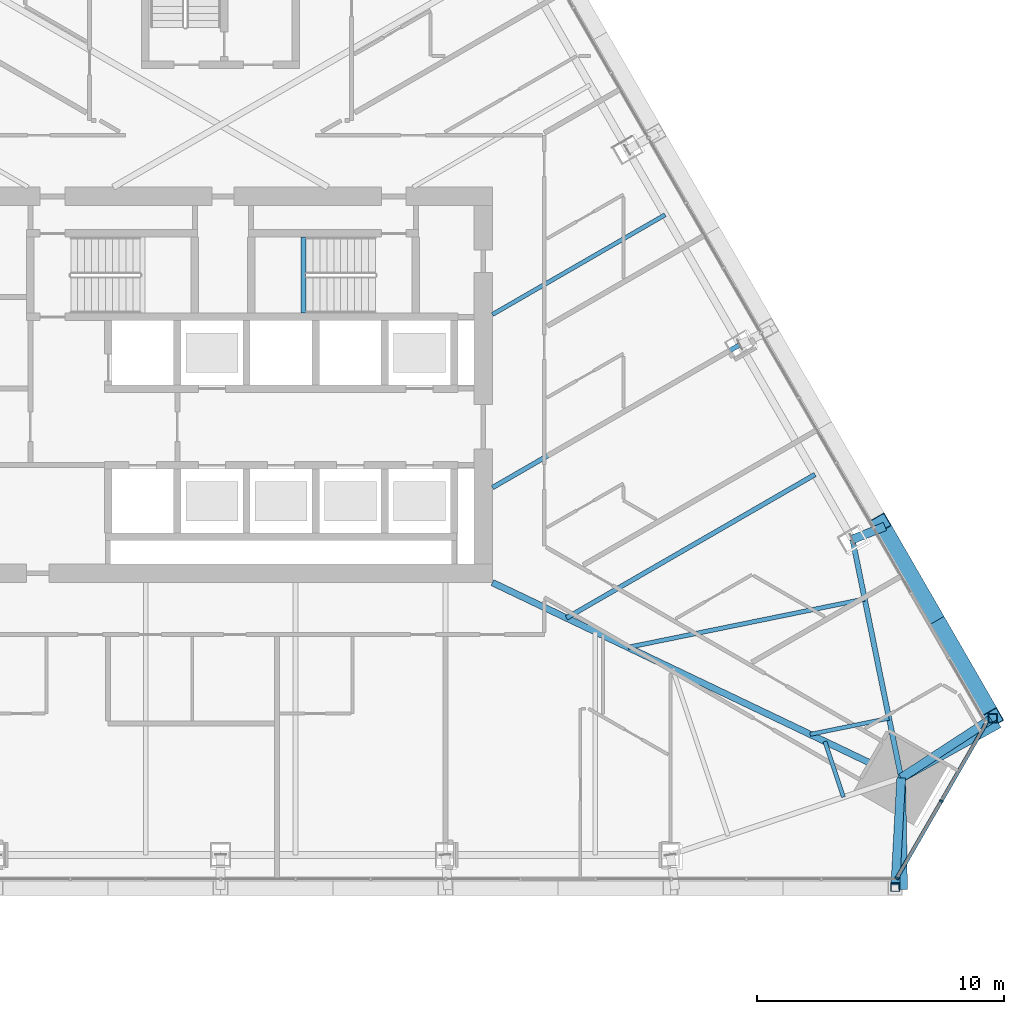
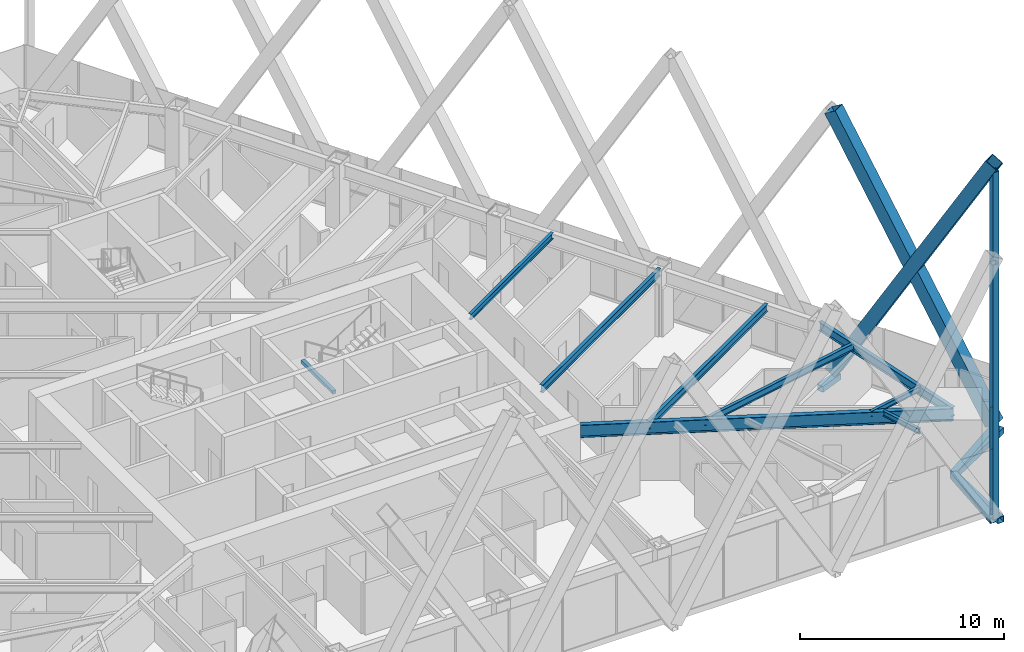
# One storey, part 8 of 26: 12 members, 9 beams, 1 element without a shape of its own.
"""IFC4 building model written with IfcOpenShell, lengths in metres."""

from ifc_helpers import new_model, si_unit, direction, frame, origin, origin_2d, place, context, subcontext, project, spatial, rectangle, hollow_rectangle, i_section, extrude, material, layer, layer_set, material_profile, profile_set, type_object, element, aggregate, save


model = new_model("IFC4")

# Units and contexts
model_context = context("Model", 3, precision=1e-05, world=origin(), true_north=direction((0.0, 1.0)))
body_context = subcontext(model_context, "Body", "Model", "MODEL_VIEW")
ifc_project = project(units=[si_unit("LENGTHUNIT", "METRE"), si_unit("AREAUNIT", "SQUARE_METRE"), si_unit("VOLUMEUNIT", "CUBIC_METRE"), si_unit("PLANEANGLEUNIT", "RADIAN"), si_unit("MASSUNIT", "GRAM", prefix="KILO")], contexts=[model_context])

# Site, building, storey
site_placement = place(None, origin())
site = spatial("IfcSite", under=ifc_project, at=site_placement, CompositionType="ELEMENT")
building_placement = place(site_placement, origin())
building = spatial("IfcBuilding", under=site, at=building_placement, Name="Firuza Gate Tower and Library", CompositionType="ELEMENT")
storey_placement = place(building_placement, frame((0.0, 0.0, 155.800048828125)))
storey = spatial("IfcBuildingStorey", under=building, at=storey_placement, Name="L35", CompositionType="ELEMENT", Elevation=155.800048828125)

# Members
ifc_material_1 = material(Name="Steel S355", Category="steel")
ifc_material_profile_1 = material_profile(ifc_material_1, hollow_rectangle(XDim=0.699951171875, YDim=0.699951171875, WallThickness=0.030029296875, at=origin_2d()))
ifc_profile_set_1 = profile_set([ifc_material_profile_1], Name="Steel S355")
member_type_1 = type_object("IfcMemberType", Name="BU700x700x30 Lattice brace", PredefinedType="BRACE", material=ifc_profile_set_1)
for number, where, z_axis, x_axis, name in (
    (1, (106.246337890625, 61.516845703125, 0.0), (-0.251939638216, 0.436369132457, 0.863775664704), (-0.866023855101, -0.500002682389, 0.0), "Lattice brace E 8.1R"),
    (2, (101.6962890625, 69.397705078125, 0.0), (0.251939638216, -0.436369132457, 0.863775664704), (0.866023855101, 0.500002682389, 0.0), "Lattice brace E 8.1L"),
):
    element("IfcMember", number, at=place(storey_placement, frame(where, z_axis=z_axis, x_axis=x_axis)), inside=storey, type_object=member_type_1, Name=name, PredefinedType="BRACE", context=body_context, shape_type="SweptSolid", body=[
        extrude(hollow_rectangle(XDim=0.699951171875, YDim=0.699951171875, WallThickness=0.030029296875, at=origin_2d()), origin(), (0.0, 0.0, 1.0), 18.06005859375),
    ])

# Curtain wall, members
ifc_material_2 = material(Name="Aluminium 6063-T6", Category="aluminium")
ifc_layer = layer(ifc_material_2, 0.14990234375)
ifc_layer_set = layer_set([ifc_layer], Name="Corner curtain wall, chamfers")
curtain_wall_type = type_object("IfcCurtainWallType", Name="Corner curtain wall, chamfers", PredefinedType="NOTDEFINED", material=ifc_layer_set)
curtain_wall_placement = place(storey_placement, origin())
curtain_wall = element("IfcCurtainWall", 3, at=curtain_wall_placement, inside=storey, type_object=curtain_wall_type, Name="CW4 L35 SE corner", PredefinedType="NOTDEFINED")
ifc_material_3 = material(Name="Aluminium 6063-T6", Category="aluminium")
ifc_material_profile_2 = material_profile(ifc_material_3, rectangle(XDim=0.14990234375, YDim=0.080078125, at=origin_2d()))
ifc_profile_set_2 = profile_set([ifc_material_profile_2], Name="Aluminium 6063-T6")
member_type_2 = type_object("IfcMemberType", Name="Curtain wall mullion 80x150", PredefinedType="MULLION", material=ifc_profile_set_2)
member_1_placement = place(storey_placement, frame((102.36328125, 55.041015625, 0.14990234375), z_axis=(0.0, 0.0, 1.0), x_axis=(-0.866025403784, 0.5, 0.0)))
member_1 = element("IfcMember", 4, at=member_1_placement, type_object=member_type_2, Name="Mullion", PredefinedType="MULLION", context=body_context, shape_type="SweptSolid", body=[
    extrude(rectangle(XDim=0.14990234375, YDim=0.080078125, at=origin_2d()), origin(), (0.0, 0.0, 1.0), 3.550048828125),
])
member_2_placement = place(storey_placement, frame((104.1650390625, 58.16162109375, 0.14990234375), z_axis=(0.0, 0.0, 1.0), x_axis=(-0.866025403784, 0.5, 0.0)))
member_2 = element("IfcMember", 5, at=member_2_placement, type_object=member_type_2, Name="Mullion", PredefinedType="MULLION", context=body_context, shape_type="SweptSolid", body=[
    extrude(rectangle(XDim=0.14990234375, YDim=0.080078125, at=origin_2d()), origin(), (0.0, 0.0, 1.0), 3.550048828125),
])
ifc_material_4 = material(Name="Aluminium 6063-T6", Category="aluminium")
ifc_material_profile_3 = material_profile(ifc_material_4, rectangle(XDim=0.14990234375, YDim=0.35009765625, at=origin_2d()))
ifc_profile_set_3 = profile_set([ifc_material_profile_3], Name="Aluminium 6063-T6")
member_type_3 = type_object("IfcMemberType", Name="Curtain wall transom 350x150", PredefinedType="USERDEFINED", material=ifc_profile_set_3)
member_3_placement = place(storey_placement, frame((102.34326171875, 55.00634765625, -0.025146484375), z_axis=(0.499991211061, 0.866030478021, 0.0), x_axis=(-0.866030478021, 0.499991211061, 0.0)))
member_3 = element("IfcMember", 6, at=member_3_placement, type_object=member_type_3, Name="Transom", ObjectType="TRANSOM", PredefinedType="USERDEFINED", context=body_context, shape_type="SweptSolid", body=[
    extrude(rectangle(XDim=0.14990234375, YDim=0.35009765625, at=origin_2d()), origin(), (0.0, 0.0, 1.0), 7.286865234375),
])
aggregate(curtain_wall, [member_1, member_2, member_3])

# Members
ifc_material_5 = material(Name="Steel S355", Category="steel")
ifc_material_profile_4 = material_profile(ifc_material_5, hollow_rectangle(XDim=0.355712890625, YDim=0.355712890625, WallThickness=0.014892578125, at=origin_2d()))
ifc_profile_set_4 = profile_set([ifc_material_profile_4], Name="Steel S355")
member_type_4 = type_object("IfcMemberType", Name="HSS356x356x16 Lattice corner stile", PredefinedType="BRACE", material=ifc_profile_set_4)
for number, where, z_axis, x_axis, name in (
    (7, (102.300048828125, 54.681396484375, -0.14013671875), (0.0, 0.0, 1.0), (1.0, 0.0, 0.0), "Lattice corner stile S 8.B"),
    (8, (106.246337890625, 61.516845703125, -0.14013671875), (0.0, 0.0, 1.0), (1.0, 0.0, 0.0), "Lattice corner stile E 8.A"),
):
    element("IfcMember", number, at=place(storey_placement, frame(where, z_axis=z_axis, x_axis=x_axis)), inside=storey, type_object=member_type_4, Name=name, PredefinedType="BRACE", context=body_context, shape_type="SweptSolid", body=[
        extrude(hollow_rectangle(XDim=0.355712890625, YDim=0.355712890625, WallThickness=0.014892578125, at=origin_2d()), origin(), (0.0, 0.0, 1.0), 15.239990234375),
    ])
ifc_material_6 = material(Name="Steel S355", Category="steel")
ifc_material_profile_5 = material_profile(ifc_material_6, hollow_rectangle(XDim=0.355712890625, YDim=0.355712890625, WallThickness=0.014892578125, at=origin_2d()))
ifc_profile_set_5 = profile_set([ifc_material_profile_5], Name="Steel S355")
member_type_5 = type_object("IfcMemberType", Name="HSS356x356x16 Lattice node tie", PredefinedType="BRACE", material=ifc_profile_set_5)
member_4_placement = place(storey_placement, frame((100.570556640625, 68.74755859375, -0.340087890625), z_axis=(0.928321938625, 0.371777323497, 0.0), x_axis=(-0.371777323497, 0.928321938625, 0.0)))
element("IfcMember", 9, at=member_4_placement, inside=storey, type_object=member_type_5, Name="Lattice node tie E L35 154", PredefinedType="BRACE", context=body_context, shape_type="SweptSolid", body=[
    extrude(hollow_rectangle(XDim=0.355712890625, YDim=0.355712890625, WallThickness=0.014892578125, at=origin_2d()), origin(), (0.0, 0.0, 1.0), 1.4150390625),
])
member_5_placement = place(storey_placement, frame((102.541259765625, 59.09912109375, -0.340087890625), z_axis=(0.874468060041, 0.485083098003, 0.0), x_axis=(-0.485083098003, 0.874468060041, 0.0)))
element("IfcMember", 10, at=member_5_placement, inside=storey, type_object=member_type_5, Name="Lattice node tie E L35 155", PredefinedType="BRACE", context=body_context, shape_type="SweptSolid", body=[
    extrude(hollow_rectangle(XDim=0.355712890625, YDim=0.355712890625, WallThickness=0.014892578125, at=origin_2d()), origin(), (0.0, 0.0, 1.0), 4.51806640625),
])
member_6_placement = place(storey_placement, frame((102.541259765625, 59.09912109375, -0.340087890625), z_axis=(0.837471778281, 0.546480576583, 0.0), x_axis=(-0.546480576583, 0.837471778281, 0.0)))
element("IfcMember", 11, at=member_6_placement, inside=storey, type_object=member_type_5, Name="Lattice node tie E L35 156", PredefinedType="BRACE", context=body_context, shape_type="SweptSolid", body=[
    extrude(hollow_rectangle(XDim=0.355712890625, YDim=0.355712890625, WallThickness=0.014892578125, at=origin_2d()), origin(), (0.0, 0.0, 1.0), 4.33935546875),
])
member_7_placement = place(storey_placement, frame((102.541259765625, 59.09912109375, -0.340087890625), z_axis=(0.017128917678, -0.999853289328, 0.0), x_axis=(0.999853289328, 0.017128917678, 0.0)))
element("IfcMember", 12, at=member_7_placement, inside=storey, type_object=member_type_5, Name="Lattice node tie S L35 164", PredefinedType="BRACE", context=body_context, shape_type="SweptSolid", body=[
    extrude(hollow_rectangle(XDim=0.355712890625, YDim=0.355712890625, WallThickness=0.014892578125, at=origin_2d()), origin(), (0.0, 0.0, 1.0), 4.518310546875),
])
member_8_placement = place(storey_placement, frame((102.541259765625, 59.09912109375, -0.340087890625), z_axis=(-0.054519569981, -0.998512702217, 0.0), x_axis=(0.998512702217, -0.054519569981, 0.0)))
element("IfcMember", 13, at=member_8_placement, inside=storey, type_object=member_type_5, Name="Lattice node tie S L35 165", PredefinedType="BRACE", context=body_context, shape_type="SweptSolid", body=[
    extrude(hollow_rectangle(XDim=0.355712890625, YDim=0.355712890625, WallThickness=0.014892578125, at=origin_2d()), origin(), (0.0, 0.0, 1.0), 4.339111328125),
])

# Beams
ifc_material_7 = material(Name="Concrete C35/45", Category="concrete")
ifc_material_profile_6 = material_profile(ifc_material_7, rectangle(XDim=0.199951171875, YDim=0.199951171875, at=origin_2d()))
ifc_profile_set_6 = profile_set([ifc_material_profile_6], Name="Concrete C35/45")
beam_type_1 = type_object("IfcBeamType", Name="Stair landing bearer 200x200", PredefinedType="BEAM", material=ifc_profile_set_6)
beam_1_placement = place(storey_placement, frame((78.360107421875, 80.97998046875, 1.64990234375), z_axis=(0.0, -1.0, 0.0), x_axis=(1.0, 0.0, 0.0)))
element("IfcBeam", 14, at=beam_1_placement, inside=storey, type_object=beam_type_1, Name="Landing bearer L35 stair 2", PredefinedType="BEAM", context=body_context, shape_type="SweptSolid", body=[
    extrude(rectangle(XDim=0.199951171875, YDim=0.199951171875, at=origin_2d()), origin(), (0.0, 0.0, 1.0), 3.080078125),
])
ifc_material_8 = material(Name="Steel S355", Category="steel")
ifc_material_profile_7 = material_profile(ifc_material_8, i_section(OverallWidth=0.1650390625, OverallDepth=0.31005859375, WebThickness=0.005859375, FlangeThickness=0.009765625, at=origin_2d()))
ifc_profile_set_7 = profile_set([ifc_material_profile_7], Name="Steel S355")
beam_type_2 = type_object("IfcBeamType", Name="W310x39 Floor beam", PredefinedType="JOIST", material=ifc_profile_set_7)
beam_2_placement = place(storey_placement, frame((100.205810546875, 58.319580078125, 3.544921875), z_axis=(-0.316597550941, 0.948559956322, 0.0), x_axis=(-0.948559956322, -0.316597550941, 0.0)))
element("IfcBeam", 15, at=beam_2_placement, inside=storey, type_object=beam_type_2, Name="Floor beam L35 s31", PredefinedType="JOIST", context=body_context, shape_type="SweptSolid", body=[
    extrude(i_section(OverallWidth=0.1650390625, OverallDepth=0.31005859375, WebThickness=0.005859375, FlangeThickness=0.009765625, at=origin_2d()), origin(), (0.0, 0.0, 1.0), 2.376708984375),
])
beam_3_placement = place(storey_placement, frame((102.048583984375, 61.51123046875, 3.544921875), z_axis=(-0.979768391381, -0.200134702767, 0.0), x_axis=(0.200134702767, -0.979768391381, 0.0)))
element("IfcBeam", 16, at=beam_3_placement, inside=storey, type_object=beam_type_2, Name="Floor beam L35 s40", PredefinedType="JOIST", context=body_context, shape_type="SweptSolid", body=[
    extrude(i_section(OverallWidth=0.1650390625, OverallDepth=0.31005859375, WebThickness=0.005859375, FlangeThickness=0.009765625, at=origin_2d()), origin(), (0.0, 0.0, 1.0), 3.25830078125),
])
ifc_material_9 = material(Name="Steel S355", Category="steel")
ifc_material_profile_8 = material_profile(ifc_material_9, i_section(OverallWidth=0.1708984375, OverallDepth=0.35498046875, WebThickness=0.007080078125, FlangeThickness=0.01171875, at=origin_2d()))
ifc_profile_set_8 = profile_set([ifc_material_profile_8], Name="Steel S355")
beam_type_3 = type_object("IfcBeamType", Name="W360x51 Floor beam", PredefinedType="JOIST", material=ifc_profile_set_8)
beam_4_placement = place(storey_placement, frame((92.9873046875, 81.88232421875, 3.5224609375), z_axis=(-0.866022320763, -0.500005339912, 0.0), x_axis=(0.500005339912, -0.866022320763, 0.0)))
element("IfcBeam", 17, at=beam_4_placement, inside=storey, type_object=beam_type_3, Name="Floor beam L35 s52", PredefinedType="JOIST", context=body_context, shape_type="SweptSolid", body=[
    extrude(i_section(OverallWidth=0.1708984375, OverallDepth=0.35498046875, WebThickness=0.007080078125, FlangeThickness=0.01171875, at=origin_2d()), origin(), (0.0, 0.0, 1.0), 8.068359375),
])
ifc_material_10 = material(Name="Steel S355", Category="steel")
ifc_material_profile_9 = material_profile(ifc_material_10, i_section(OverallWidth=0.177978515625, OverallDepth=0.406982421875, WebThickness=0.0078125, FlangeThickness=0.0126953125, at=origin_2d()))
ifc_profile_set_9 = profile_set([ifc_material_profile_9], Name="Steel S355")
beam_type_4 = type_object("IfcBeamType", Name="W410x60 Floor beam", PredefinedType="JOIST", material=ifc_profile_set_9)
beam_5_placement = place(storey_placement, frame((101.063232421875, 66.33544921875, 3.496337890625), z_axis=(-0.979778185274, -0.200086750337, 0.0), x_axis=(0.200086750337, -0.979778185274, 0.0)))
element("IfcBeam", 18, at=beam_5_placement, inside=storey, type_object=beam_type_4, Name="Floor beam L35 s41", PredefinedType="JOIST", context=body_context, shape_type="SweptSolid", body=[
    extrude(i_section(OverallWidth=0.177978515625, OverallDepth=0.406982421875, WebThickness=0.0078125, FlangeThickness=0.0126953125, at=origin_2d()), origin(), (0.0, 0.0, 1.0), 9.77490234375),
])
ifc_material_11 = material(Name="Steel S355", Category="steel")
ifc_material_profile_10 = material_profile(ifc_material_11, i_section(OverallWidth=0.18994140625, OverallDepth=0.45703125, WebThickness=0.009033203125, FlangeThickness=0.014404296875, at=origin_2d()))
ifc_profile_set_10 = profile_set([ifc_material_profile_10], Name="Steel S355")
beam_type_5 = type_object("IfcBeamType", Name="W460x74 Floor beam", PredefinedType="JOIST", material=ifc_profile_set_10)
beam_6_placement = place(storey_placement, frame((99.053955078125, 71.37451171875, 3.471435546875), z_axis=(-0.866027336395, -0.499996652606, 0.0), x_axis=(0.499996652606, -0.866027336395, 0.0)))
element("IfcBeam", 19, at=beam_6_placement, inside=storey, type_object=beam_type_5, Name="Floor beam L35 s50", PredefinedType="JOIST", context=body_context, shape_type="SweptSolid", body=[
    extrude(i_section(OverallWidth=0.18994140625, OverallDepth=0.45703125, WebThickness=0.009033203125, FlangeThickness=0.014404296875, at=origin_2d()), origin(), (0.0, 0.0, 1.0), 11.6123046875),
])
beam_7_placement = place(storey_placement, frame((96.0205078125, 76.62841796875, 3.471435546875), z_axis=(-0.866023251658, -0.500003727574, 0.0), x_axis=(0.500003727574, -0.866023251658, 0.0)))
element("IfcBeam", 20, at=beam_7_placement, inside=storey, type_object=beam_type_5, Name="Floor beam L35 s51", PredefinedType="JOIST", context=body_context, shape_type="SweptSolid", body=[
    extrude(i_section(OverallWidth=0.18994140625, OverallDepth=0.45703125, WebThickness=0.009033203125, FlangeThickness=0.014404296875, at=origin_2d()), origin(), (0.0, 0.0, 1.0), 11.57080078125),
])
ifc_material_12 = material(Name="Steel S355", Category="steel")
ifc_material_profile_11 = material_profile(ifc_material_12, i_section(OverallWidth=0.212890625, OverallDepth=0.5390625, WebThickness=0.01171875, FlangeThickness=0.018798828125, at=origin_2d()))
ifc_profile_set_11 = profile_set([ifc_material_profile_11], Name="Steel S355")
beam_type_6 = type_object("IfcBeamType", Name="W530x109 Edge beam", PredefinedType="SPANDREL", material=ifc_profile_set_11)
beam_8_placement = place(storey_placement, frame((102.541259765625, 59.09912109375, 3.430419921875), z_axis=(-0.200119327084, 0.979771532005, 0.0), x_axis=(-0.979771532005, -0.200119327084, 0.0)))
element("IfcBeam", 21, at=beam_8_placement, inside=storey, type_object=beam_type_6, Name="Edge beam L35 e40", PredefinedType="SPANDREL", context=body_context, shape_type="SweptSolid", body=[
    extrude(i_section(OverallWidth=0.212890625, OverallDepth=0.5390625, WebThickness=0.01171875, FlangeThickness=0.018798828125, at=origin_2d()), origin(), (0.0, 0.0, 1.0), 9.84765625),
])
ifc_material_13 = material(Name="Steel S355", Category="steel")
ifc_material_profile_12 = material_profile(ifc_material_13, i_section(OverallWidth=0.264892578125, OverallDepth=0.7529296875, WebThickness=0.01318359375, FlangeThickness=0.01708984375, at=origin_2d()))
ifc_profile_set_12 = profile_set([ifc_material_profile_12], Name="Steel S355")
beam_type_7 = type_object("IfcBeamType", Name="W760x147 Girder", PredefinedType="BEAM", material=ifc_profile_set_12)
beam_9_placement = place(storey_placement, frame((102.541259765625, 59.09912109375, 3.323486328125), z_axis=(-0.902349802706, 0.431004447259, 0.0), x_axis=(-0.431004447259, -0.902349802706, 0.0)))
element("IfcBeam", 22, at=beam_9_placement, inside=storey, type_object=beam_type_7, Name="Girder L35 gSE", PredefinedType="BEAM", context=body_context, shape_type="SweptSolid", body=[
    extrude(i_section(OverallWidth=0.264892578125, OverallDepth=0.7529296875, WebThickness=0.01318359375, FlangeThickness=0.01708984375, at=origin_2d()), origin(), (0.0, 0.0, 1.0), 18.331298828125),
])

save(model, "model.ifc")
